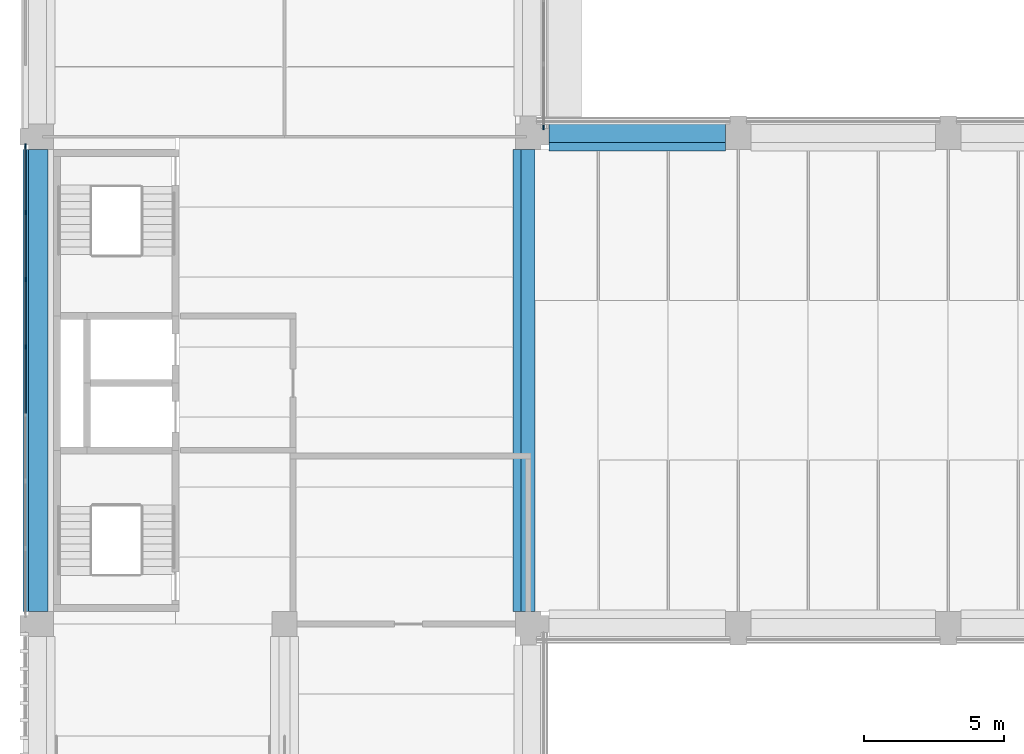
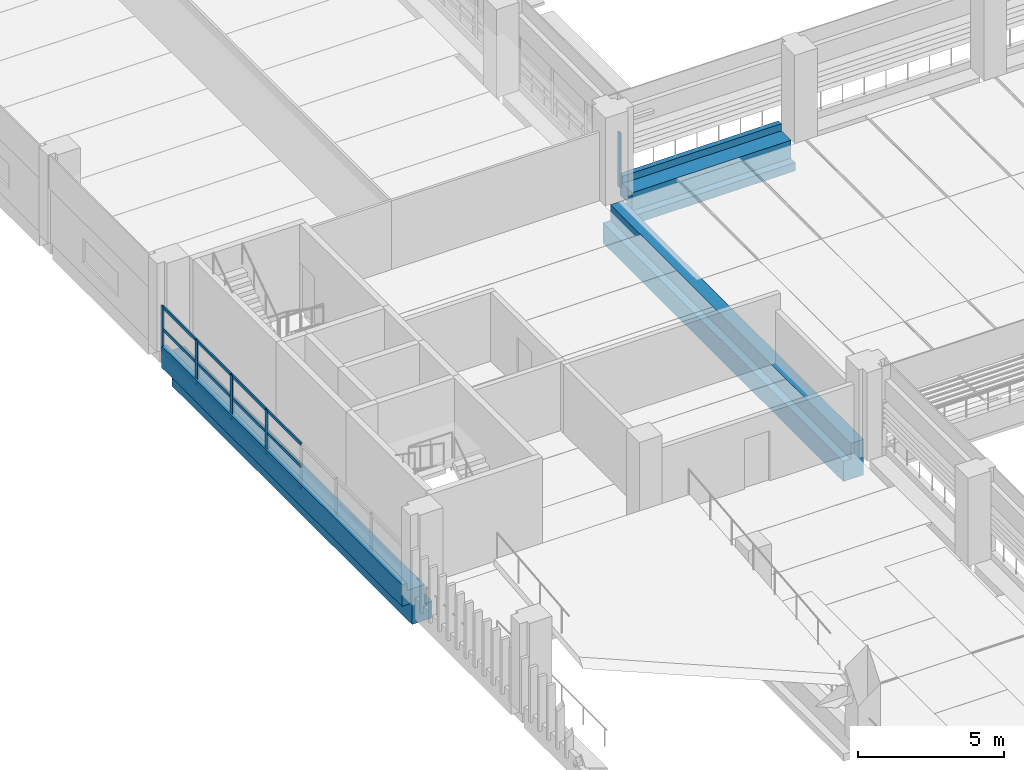
# One storey, part 5 of 57: 17 members, 3 beams, 2 elements without a shape of their own.
"""IFC4 building model written with IfcOpenShell, lengths in metres."""

import ifcopenshell
import ifcopenshell.guid

model = None  # the IFC model being written
_history = None  # IfcOwnerHistory: only IFC2X3 demands one
_inside = {}  # id of a spatial element -> (the spatial element, [elements in it])
_under = {}  # id of a project, library or spatial element -> (it, [spatial elements below it])
_declared = {}  # id of a project -> (the project, [libraries it declares])
_typed = {}  # id of a type object -> (the type object, [elements of that type])
_made_of = {}  # id of a material, layer set ... -> (it, [elements and type objects made of it])


def new_model(schema):
    """Start an empty IFC model of exactly this schema.

    Asked for "IFC4X3", IfcOpenShell would pick the latest addendum, in which some entities
    have other attributes; the version numbers below select the first issue.
    IFC2X3 requires an IfcOwnerHistory on every rooted entity: one is made here for all.
    """
    global model, _history
    if schema == "IFC4X3":
        model = ifcopenshell.file(schema_version=(4, 3, 0, 0))
    else:
        model = ifcopenshell.file(schema=schema)
    _inside.clear()
    _under.clear()
    _declared.clear()
    _typed.clear()
    _made_of.clear()
    _history = None
    if model.schema == "IFC2X3":
        org = make("IfcOrganization", Name="unknown")
        user = make(
            "IfcPersonAndOrganization",
            ThePerson=make("IfcPerson", FamilyName="unknown"),
            TheOrganization=org,
        )
        app = make(
            "IfcApplication",
            ApplicationDeveloper=org,
            Version="unknown",
            ApplicationFullName="unknown",
            ApplicationIdentifier="unknown",
        )
        _history = make(
            "IfcOwnerHistory",
            OwningUser=user,
            OwningApplication=app,
            ChangeAction="ADDED",
            CreationDate=0,
        )
    return model


def make(cls, **values):
    """One entity of the class cls with the attributes given. An attribute that is None is left unset."""
    return model.create_entity(
        cls, **{name: value for name, value in values.items() if value is not None}
    )


def rooted(cls, **values):
    """An entity with a GlobalId (a new one), such as an element, a storey or a relation."""
    return make(cls, GlobalId=ifcopenshell.guid.new(), OwnerHistory=_history, **values)


def si_unit(unit_type, name, prefix=None):
    """IfcSIUnit, for example si_unit("LENGTHUNIT", "METRE", prefix="MILLI")."""
    return make("IfcSIUnit", UnitType=unit_type, Prefix=prefix, Name=name)


def assignment(units):
    """IfcUnitAssignment: the units of a project."""
    return None if units is None else make("IfcUnitAssignment", Units=units)


def point(xyz):
    """IfcCartesianPoint."""
    return None if xyz is None else make("IfcCartesianPoint", Coordinates=xyz)


def direction(xyz):
    """IfcDirection."""
    return None if xyz is None else make("IfcDirection", DirectionRatios=xyz)


def frame(location, z_axis=None, x_axis=None):
    """IfcAxis2Placement3D, a coordinate frame: its origin and axes. An axis left out is left unset."""
    return make(
        "IfcAxis2Placement3D",
        Location=point(location),
        Axis=direction(z_axis),
        RefDirection=direction(x_axis),
    )


def frame_2d(location, x_axis=None):
    """IfcAxis2Placement2D, a coordinate frame in the plane: its origin and x axis."""
    return make(
        "IfcAxis2Placement2D", Location=point(location), RefDirection=direction(x_axis)
    )


def origin():
    """The frame at (0, 0, 0) with its axes left unset."""
    return frame((0.0, 0.0, 0.0))


def origin_2d():
    """The frame at (0, 0) in the plane with its x axis left unset."""
    return frame_2d((0.0, 0.0))


def place(relative_to, where):
    """IfcLocalPlacement: puts the frame where relative to a parent placement (None: the world)."""
    return make(
        "IfcLocalPlacement", PlacementRelTo=relative_to, RelativePlacement=where
    )


def context(
    kind, dimensions, precision=None, world=None, true_north=None, identifier=None
):
    """IfcGeometricRepresentationContext, for example the 3D "Model" context."""
    return make(
        "IfcGeometricRepresentationContext",
        ContextIdentifier=identifier,
        ContextType=kind,
        CoordinateSpaceDimension=dimensions,
        Precision=precision,
        WorldCoordinateSystem=world,
        TrueNorth=true_north,
    )


def subcontext(parent, identifier, kind, view, scale=None):
    """IfcGeometricRepresentationSubContext, for example "Body" below "Model"."""
    return make(
        "IfcGeometricRepresentationSubContext",
        ContextIdentifier=identifier,
        ContextType=kind,
        ParentContext=parent,
        TargetScale=scale,
        TargetView=view,
    )


def project(units=None, contexts=None):
    """IfcProject with its units and contexts."""
    return rooted(
        "IfcProject",
        Name="project",
        RepresentationContexts=contexts,
        UnitsInContext=assignment(units),
    )


def spatial(cls, under=None, at=None, **own):
    """A site, building, storey or space (cls), placed at a placement, below another one or the project."""
    s = rooted(cls, ObjectPlacement=at, **own)
    if under is not None:
        _under.setdefault(under.id(), (under, []))[1].append(s)
    return s


def polyline(points):
    """IfcPolyline through the points."""
    return make("IfcPolyline", Points=[point(p) for p in points])


def profile(cls, at=None, kind="AREA", **sizes):
    """A parametric profile (cls). Its sizes go by their IFC names, for example OverallWidth=200.0."""
    return make(cls, ProfileType=kind, Position=at, **sizes)


def rectangle(**sizes):
    """IfcRectangleProfileDef."""
    return profile("IfcRectangleProfileDef", **sizes)


def outline(outer, holes=None, kind="AREA"):
    """IfcArbitraryClosedProfileDef: a profile drawn as a closed curve; with holes, ...WithVoids."""
    if holes is None:
        return make("IfcArbitraryClosedProfileDef", ProfileType=kind, OuterCurve=outer)
    return make(
        "IfcArbitraryProfileDefWithVoids",
        ProfileType=kind,
        OuterCurve=outer,
        InnerCurves=holes,
    )


def extrude(swept, where, along, depth):
    """IfcExtrudedAreaSolid: the profile swept, set in the frame where, extruded along a direction by depth."""
    return make(
        "IfcExtrudedAreaSolid",
        SweptArea=swept,
        Position=where,
        ExtrudedDirection=direction(along),
        Depth=depth,
    )


def shape(context_of_items, identifier, shape_type, items):
    """IfcShapeRepresentation: the items that make up one representation, for example the "Body"."""
    return make(
        "IfcShapeRepresentation",
        ContextOfItems=context_of_items,
        RepresentationIdentifier=identifier,
        RepresentationType=shape_type,
        Items=items,
    )


def material(Name=None, Category=None):
    """IfcMaterial."""
    return make("IfcMaterial", Name=Name, Category=Category)


def layer(
    of_material, thickness, ventilated=None, Name=None, Category=None, Priority=None
):
    """IfcMaterialLayer: one layer of a wall or slab, of a material (None: an air gap)."""
    return make(
        "IfcMaterialLayer",
        Material=of_material,
        LayerThickness=thickness,
        IsVentilated=ventilated,
        Name=Name,
        Category=Category,
        Priority=Priority,
    )


def layer_set(layers, Name=None):
    """IfcMaterialLayerSet."""
    return make("IfcMaterialLayerSet", MaterialLayers=layers, LayerSetName=Name)


def material_profile(
    of_material, cross_section, Name=None, Category=None, Priority=None
):
    """IfcMaterialProfile: a cross section and its material."""
    return make(
        "IfcMaterialProfile",
        Name=Name,
        Material=of_material,
        Profile=cross_section,
        Priority=Priority,
        Category=Category,
    )


def profile_set(profiles, Name=None, composite=None):
    """IfcMaterialProfileSet."""
    return make(
        "IfcMaterialProfileSet",
        Name=Name,
        MaterialProfiles=profiles,
        CompositeProfile=composite,
    )


def made_of(thing, what):
    """Note that an element or type object is made of a material, layer set ...; save() writes the relation."""
    if what is not None:
        _made_of.setdefault(what.id(), (what, []))[1].append(thing)
    return thing


def type_object(cls, material=None, **own):
    """A type object (cls), such as IfcWallType, which elements share."""
    return made_of(rooted(cls, **own), material)


def element(
    cls,
    number,
    at=None,
    inside=None,
    cuts=None,
    type_object=None,
    material=None,
    context=None,
    identifier="Body",
    shape_type=None,
    held_by="IfcProductDefinitionShape",
    body=None,
    shapes=None,
    **own,
):
    """One element of the class cls, such as IfcWall. Its Tag is "e" and its number.

    at: its placement. inside: the storey or other place that contains it. cuts: it is an
    opening in that element (IfcRelVoidsElement). A single representation is given by context,
    identifier, shape_type and body (its items); several are given by shapes. held_by: the class
    of the entity that holds the representations. save() writes the other relations.
    """
    e = rooted(cls, Tag="e%d" % number, ObjectPlacement=at, **own)
    if body is not None:
        shapes = [shape(context, identifier, shape_type, body)]
    if shapes is not None:
        e.Representation = make(held_by, Representations=shapes)
    if inside is not None:
        _inside.setdefault(inside.id(), (inside, []))[1].append(e)
    if cuts is not None:
        rooted(
            "IfcRelVoidsElement", RelatingBuildingElement=cuts, RelatedOpeningElement=e
        )
    if type_object is not None:
        _typed.setdefault(type_object.id(), (type_object, []))[1].append(e)
    return made_of(e, material)


def aggregate(whole, parts):
    """IfcRelAggregates: a whole, such as a stair, and the parts it consists of."""
    return rooted("IfcRelAggregates", RelatingObject=whole, RelatedObjects=parts)


def save(model, path):
    """Write the relations noted so far, then the file.

    IfcRelAggregates (storeys below a building ...), IfcRelContainedInSpatialStructure (elements
    in a storey), IfcRelDefinesByType, IfcRelAssociatesMaterial and IfcRelDeclares: one each for
    every whole, place, type object, material and project.
    """
    for whole, parts in _under.values():
        aggregate(whole, parts)
    for where, things in _inside.values():
        rooted(
            "IfcRelContainedInSpatialStructure",
            RelatedElements=things,
            RelatingStructure=where,
        )
    for kind, things in _typed.values():
        rooted("IfcRelDefinesByType", RelatedObjects=things, RelatingType=kind)
    for what, things in _made_of.values():
        rooted("IfcRelAssociatesMaterial", RelatedObjects=things, RelatingMaterial=what)
    for by, libraries in _declared.values():
        rooted("IfcRelDeclares", RelatingContext=by, RelatedDefinitions=libraries)
    model.write(path)


model = new_model("IFC4")

# Units and contexts
model_context = context("Model", 3, precision=1e-05, world=origin(), true_north=direction((0.0, 1.0)))
body_context = subcontext(model_context, "Body", "Model", "MODEL_VIEW")
ifc_project = project(units=[si_unit("LENGTHUNIT", "METRE"), si_unit("AREAUNIT", "SQUARE_METRE"), si_unit("VOLUMEUNIT", "CUBIC_METRE"), si_unit("PLANEANGLEUNIT", "RADIAN"), si_unit("MASSUNIT", "GRAM", prefix="KILO")], contexts=[model_context])

# Site, building, storey
site_placement = place(None, origin())
site = spatial("IfcSite", under=ifc_project, at=site_placement, CompositionType="ELEMENT")
building_placement = place(site_placement, origin())
building = spatial("IfcBuilding", under=site, at=building_placement, Name="Cour d'Honneur Mobility Palace", CompositionType="ELEMENT")
storey_placement = place(building_placement, frame((0.0, 0.0, 8.199951171875)))
storey = spatial("IfcBuildingStorey", under=building, at=storey_placement, Name="L02", CompositionType="ELEMENT", Elevation=8.199951171875)

# Curtain wall, member
ifc_material_1 = material(Name="Aluminium and glass", Category="aluminium")
ifc_layer = layer(ifc_material_1, 0.10009765625)
ifc_layer_set = layer_set([ifc_layer], Name="Aluminium and glass")
curtain_wall_type = type_object("IfcCurtainWallType", Name="Curtain wall run", PredefinedType="NOTDEFINED", material=ifc_layer_set)
curtain_wall_1_placement = place(storey_placement, origin())
curtain_wall_1 = element("IfcCurtainWall", 1, at=curtain_wall_1_placement, inside=storey, type_object=curtain_wall_type, Name="Curtain wall CW-23", PredefinedType="NOTDEFINED")
ifc_material_2 = material(Name="Aluminium", Category="aluminium")
ifc_material_profile_1 = material_profile(ifc_material_2, rectangle(XDim=0.06005859375, YDim=0.159912109375, at=origin_2d()), Name="Curtain wall mullion")
ifc_profile_set_1 = profile_set([ifc_material_profile_1], Name="Aluminium")
member_type_1 = type_object("IfcMemberType", Name="Curtain wall mullion", PredefinedType="MULLION", material=ifc_profile_set_1)
member_1_placement = place(storey_placement, frame((17.949951171875, 62.72998046875, 0.0), z_axis=(0.0, 0.0, 1.0), x_axis=(-1.0, 0.0, 0.0)))
member_1 = element("IfcMember", 2, at=member_1_placement, type_object=member_type_1, Name="CW-23 mullion 1", PredefinedType="MULLION", context=body_context, shape_type="SweptSolid", body=[
    extrude(rectangle(XDim=0.06005859375, YDim=0.159912109375, at=origin_2d()), origin(), (0.0, 0.0, 1.0), 2.300048828125),
])
aggregate(curtain_wall_1, [member_1])

# Curtain wall, members
curtain_wall_2_placement = place(storey_placement, origin())
curtain_wall_2 = element("IfcCurtainWall", 3, at=curtain_wall_2_placement, inside=storey, type_object=curtain_wall_type, Name="Curtain wall CW-101", PredefinedType="NOTDEFINED")
member_2_placement = place(storey_placement, frame((-0.550048828125, 62.070068359375, 0.0), z_axis=(0.0, 0.0, 1.0), x_axis=(1.0, 0.0, 0.0)))
member_2 = element("IfcMember", 4, at=member_2_placement, type_object=member_type_1, Name="CW-101 mullion 1", PredefinedType="MULLION", context=body_context, shape_type="SweptSolid", body=[
    extrude(rectangle(XDim=0.06005859375, YDim=0.159912109375, at=origin_2d()), origin(), (0.0, 0.0, 1.0), 1.900146484375),
])
member_3_placement = place(storey_placement, frame((-0.550048828125, 59.699951171875, 0.0), z_axis=(0.0, 0.0, 1.0), x_axis=(1.0, 0.0, 0.0)))
member_3 = element("IfcMember", 5, at=member_3_placement, type_object=member_type_1, Name="CW-101 mullion 2", PredefinedType="MULLION", context=body_context, shape_type="SweptSolid", body=[
    extrude(rectangle(XDim=0.06005859375, YDim=0.159912109375, at=origin_2d()), origin(), (0.0, 0.0, 1.0), 1.900146484375),
])
member_4_placement = place(storey_placement, frame((-0.550048828125, 57.300048828125, 0.0), z_axis=(0.0, 0.0, 1.0), x_axis=(1.0, 0.0, 0.0)))
member_4 = element("IfcMember", 6, at=member_4_placement, type_object=member_type_1, Name="CW-101 mullion 3", PredefinedType="MULLION", context=body_context, shape_type="SweptSolid", body=[
    extrude(rectangle(XDim=0.06005859375, YDim=0.159912109375, at=origin_2d()), origin(), (0.0, 0.0, 1.0), 1.900146484375),
])
member_5_placement = place(storey_placement, frame((-0.550048828125, 54.89990234375, 0.0), z_axis=(0.0, 0.0, 1.0), x_axis=(1.0, 0.0, 0.0)))
member_5 = element("IfcMember", 7, at=member_5_placement, type_object=member_type_1, Name="CW-101 mullion 4", PredefinedType="MULLION", context=body_context, shape_type="SweptSolid", body=[
    extrude(rectangle(XDim=0.06005859375, YDim=0.159912109375, at=origin_2d()), origin(), (0.0, 0.0, 1.0), 1.900146484375),
])
ifc_material_3 = material(Name="Aluminium", Category="aluminium")
ifc_material_profile_2 = material_profile(ifc_material_3, rectangle(XDim=0.06005859375, YDim=0.1201171875, at=origin_2d()), Name="Curtain wall transom")
ifc_profile_set_2 = profile_set([ifc_material_profile_2], Name="Aluminium")
member_type_2 = type_object("IfcMemberType", Name="Curtain wall transom", PredefinedType="USERDEFINED", material=ifc_profile_set_2)
member_6_placement = place(storey_placement, frame((-0.550048828125, 62.0400390625, 0.030029296875), z_axis=(0.0, -1.0, 0.0), x_axis=(1.0, 0.0, 0.0)))
member_6 = element("IfcMember", 8, at=member_6_placement, type_object=member_type_2, Name="CW-101 transom 1.1", ObjectType="TRANSOM", PredefinedType="USERDEFINED", context=body_context, shape_type="SweptSolid", body=[
    extrude(rectangle(XDim=0.06005859375, YDim=0.1201171875, at=origin_2d()), origin(), (0.0, 0.0, 1.0), 2.31005859375),
])
member_7_placement = place(storey_placement, frame((-0.550048828125, 62.0400390625, 0.949951171875), z_axis=(0.0, -1.0, 0.0), x_axis=(1.0, 0.0, 0.0)))
member_7 = element("IfcMember", 9, at=member_7_placement, type_object=member_type_2, Name="CW-101 transom 1.2", ObjectType="TRANSOM", PredefinedType="USERDEFINED", context=body_context, shape_type="SweptSolid", body=[
    extrude(rectangle(XDim=0.06005859375, YDim=0.1201171875, at=origin_2d()), origin(), (0.0, 0.0, 1.0), 2.31005859375),
])
member_8_placement = place(storey_placement, frame((-0.550048828125, 62.0400390625, 1.8701171875), z_axis=(0.0, -1.0, 0.0), x_axis=(1.0, 0.0, 0.0)))
member_8 = element("IfcMember", 10, at=member_8_placement, type_object=member_type_2, Name="CW-101 transom 1.3", ObjectType="TRANSOM", PredefinedType="USERDEFINED", context=body_context, shape_type="SweptSolid", body=[
    extrude(rectangle(XDim=0.06005859375, YDim=0.1201171875, at=origin_2d()), origin(), (0.0, 0.0, 1.0), 2.31005859375),
])
member_9_placement = place(storey_placement, frame((-0.550048828125, 59.669921875, 0.030029296875), z_axis=(0.0, -1.0, 0.0), x_axis=(1.0, 0.0, 0.0)))
member_9 = element("IfcMember", 11, at=member_9_placement, type_object=member_type_2, Name="CW-101 transom 2.1", ObjectType="TRANSOM", PredefinedType="USERDEFINED", context=body_context, shape_type="SweptSolid", body=[
    extrude(rectangle(XDim=0.06005859375, YDim=0.1201171875, at=origin_2d()), origin(), (0.0, 0.0, 1.0), 2.33984375),
])
member_10_placement = place(storey_placement, frame((-0.550048828125, 59.669921875, 0.949951171875), z_axis=(0.0, -1.0, 0.0), x_axis=(1.0, 0.0, 0.0)))
member_10 = element("IfcMember", 12, at=member_10_placement, type_object=member_type_2, Name="CW-101 transom 2.2", ObjectType="TRANSOM", PredefinedType="USERDEFINED", context=body_context, shape_type="SweptSolid", body=[
    extrude(rectangle(XDim=0.06005859375, YDim=0.1201171875, at=origin_2d()), origin(), (0.0, 0.0, 1.0), 2.33984375),
])
member_11_placement = place(storey_placement, frame((-0.550048828125, 59.669921875, 1.8701171875), z_axis=(0.0, -1.0, 0.0), x_axis=(1.0, 0.0, 0.0)))
member_11 = element("IfcMember", 13, at=member_11_placement, type_object=member_type_2, Name="CW-101 transom 2.3", ObjectType="TRANSOM", PredefinedType="USERDEFINED", context=body_context, shape_type="SweptSolid", body=[
    extrude(rectangle(XDim=0.06005859375, YDim=0.1201171875, at=origin_2d()), origin(), (0.0, 0.0, 1.0), 2.33984375),
])
member_12_placement = place(storey_placement, frame((-0.550048828125, 57.27001953125, 0.030029296875), z_axis=(0.0, -1.0, 0.0), x_axis=(1.0, 0.0, 0.0)))
member_12 = element("IfcMember", 14, at=member_12_placement, type_object=member_type_2, Name="CW-101 transom 3.1", ObjectType="TRANSOM", PredefinedType="USERDEFINED", context=body_context, shape_type="SweptSolid", body=[
    extrude(rectangle(XDim=0.06005859375, YDim=0.1201171875, at=origin_2d()), origin(), (0.0, 0.0, 1.0), 2.340087890625),
])
member_13_placement = place(storey_placement, frame((-0.550048828125, 57.27001953125, 0.949951171875), z_axis=(0.0, -1.0, 0.0), x_axis=(1.0, 0.0, 0.0)))
member_13 = element("IfcMember", 15, at=member_13_placement, type_object=member_type_2, Name="CW-101 transom 3.2", ObjectType="TRANSOM", PredefinedType="USERDEFINED", context=body_context, shape_type="SweptSolid", body=[
    extrude(rectangle(XDim=0.06005859375, YDim=0.1201171875, at=origin_2d()), origin(), (0.0, 0.0, 1.0), 2.340087890625),
])
member_14_placement = place(storey_placement, frame((-0.550048828125, 57.27001953125, 1.8701171875), z_axis=(0.0, -1.0, 0.0), x_axis=(1.0, 0.0, 0.0)))
member_14 = element("IfcMember", 16, at=member_14_placement, type_object=member_type_2, Name="CW-101 transom 3.3", ObjectType="TRANSOM", PredefinedType="USERDEFINED", context=body_context, shape_type="SweptSolid", body=[
    extrude(rectangle(XDim=0.06005859375, YDim=0.1201171875, at=origin_2d()), origin(), (0.0, 0.0, 1.0), 2.340087890625),
])
member_15_placement = place(storey_placement, frame((-0.550048828125, 54.8701171875, 0.030029296875), z_axis=(0.0, -1.0, 0.0), x_axis=(1.0, 0.0, 0.0)))
member_15 = element("IfcMember", 17, at=member_15_placement, type_object=member_type_2, Name="CW-101 transom 4.1", ObjectType="TRANSOM", PredefinedType="USERDEFINED", context=body_context, shape_type="SweptSolid", body=[
    extrude(rectangle(XDim=0.06005859375, YDim=0.1201171875, at=origin_2d()), origin(), (0.0, 0.0, 1.0), 2.340087890625),
])
member_16_placement = place(storey_placement, frame((-0.550048828125, 54.8701171875, 0.949951171875), z_axis=(0.0, -1.0, 0.0), x_axis=(1.0, 0.0, 0.0)))
member_16 = element("IfcMember", 18, at=member_16_placement, type_object=member_type_2, Name="CW-101 transom 4.2", ObjectType="TRANSOM", PredefinedType="USERDEFINED", context=body_context, shape_type="SweptSolid", body=[
    extrude(rectangle(XDim=0.06005859375, YDim=0.1201171875, at=origin_2d()), origin(), (0.0, 0.0, 1.0), 2.340087890625),
])
member_17_placement = place(storey_placement, frame((-0.550048828125, 54.8701171875, 1.8701171875), z_axis=(0.0, -1.0, 0.0), x_axis=(1.0, 0.0, 0.0)))
member_17 = element("IfcMember", 19, at=member_17_placement, type_object=member_type_2, Name="CW-101 transom 4.3", ObjectType="TRANSOM", PredefinedType="USERDEFINED", context=body_context, shape_type="SweptSolid", body=[
    extrude(rectangle(XDim=0.06005859375, YDim=0.1201171875, at=origin_2d()), origin(), (0.0, 0.0, 1.0), 2.340087890625),
])
aggregate(curtain_wall_2, [member_2, member_3, member_4, member_5, member_6, member_7, member_8, member_9, member_10, member_11, member_12, member_13, member_14, member_15, member_16, member_17])

# Beams
ifc_material_4 = material(Name="Concrete C45", Category="concrete")
ifc_material_profile_3 = material_profile(ifc_material_4, outline(polyline([(0.199951171875, -1.10009765625), (0.199951171875, -0.60009765625), (0.64990234375, -0.60009765625), (0.64990234375, 0.300048828125), (0.449951171875, 0.300048828125), (0.449951171875, 0.0), (0.199951171875, 0.0), (-0.199951171875, 0.0), (-0.199951171875, -0.75), (-0.5, -0.75), (-0.5, -1.10009765625), (0.199951171875, -1.10009765625)])), Name="Ledger Beam 400x1100 ledge right 350 facade left")
ifc_profile_set_3 = profile_set([ifc_material_profile_3], Name="Concrete C45")
beam_type_1 = type_object("IfcBeamType", Name="Ledger Beam 400x1100 ledge right 350 facade left", PredefinedType="BEAM", material=ifc_profile_set_3)
beam_1_placement = place(storey_placement, frame((18.14990234375, 62.39990234375, 0.0), z_axis=(1.0, 0.0, 0.0), x_axis=(0.0, 1.0, 0.0)))
element("IfcBeam", 20, at=beam_1_placement, inside=storey, type_object=beam_type_1, Name="Precast beam B4 2-3 L02", PredefinedType="BEAM", context=body_context, shape_type="SweptSolid", body=[
    extrude(outline(polyline([(0.199951171875, -1.10009765625), (0.199951171875, -0.60009765625), (0.64990234375, -0.60009765625), (0.64990234375, 0.300048828125), (0.449951171875, 0.300048828125), (0.449951171875, 0.0), (0.199951171875, 0.0), (-0.199951171875, 0.0), (-0.199951171875, -0.75), (-0.5, -0.75), (-0.5, -1.10009765625), (0.199951171875, -1.10009765625)])), origin(), (0.0, 0.0, 1.0), 6.300048828125),
])
ifc_material_5 = material(Name="Concrete C45", Category="concrete")
ifc_material_profile_4 = material_profile(ifc_material_5, outline(polyline([(0.550048828125, -1.5), (0.550048828125, -0.64990234375), (0.25, -0.64990234375), (0.25, 0.0), (-0.25, 0.0), (-0.25, -1.5), (0.550048828125, -1.5)])), Name="Ledger Beam 500x1500 ledge left 850 plain")
ifc_profile_set_4 = profile_set([ifc_material_profile_4], Name="Concrete C45")
beam_type_2 = type_object("IfcBeamType", Name="Ledger Beam 500x1500 ledge left 850 plain", PredefinedType="BEAM", material=ifc_profile_set_4)
beam_2_placement = place(storey_placement, frame((17.39990234375, 45.449951171875, 0.0), z_axis=(0.0, 1.0, 0.0), x_axis=(-1.0, 0.0, 0.0)))
element("IfcBeam", 21, at=beam_2_placement, inside=storey, type_object=beam_type_2, Name="Precast beam B13 G-H L02", PredefinedType="BEAM", context=body_context, shape_type="SweptSolid", body=[
    extrude(outline(polyline([(0.550048828125, -1.5), (0.550048828125, -0.64990234375), (0.25, -0.64990234375), (0.25, 0.0), (-0.25, 0.0), (-0.25, -1.5), (0.550048828125, -1.5)])), origin(), (0.0, 0.0, 1.0), 16.5),
])
ifc_material_6 = material(Name="Concrete C45", Category="concrete")
ifc_material_profile_5 = material_profile(ifc_material_6, outline(polyline([(0.25, -1.5), (0.25, -0.60009765625), (0.64990234375, -0.60009765625), (0.64990234375, 0.300048828125), (0.449951171875, 0.300048828125), (0.449951171875, 0.0), (0.25, 0.0), (-0.25, 0.0), (-0.25, -0.800048828125), (-0.550048828125, -0.800048828125), (-0.550048828125, -1.5), (0.25, -1.5)])), Name="Ledger Beam 500x1500 ledge right 700 facade left")
ifc_profile_set_5 = profile_set([ifc_material_profile_5], Name="Concrete C45")
beam_type_3 = type_object("IfcBeamType", Name="Ledger Beam 500x1500 ledge right 700 facade left", PredefinedType="BEAM", material=ifc_profile_set_5)
beam_3_placement = place(storey_placement, frame((0.0, 45.449951171875, 0.0), z_axis=(0.0, 1.0, 0.0), x_axis=(-1.0, 0.0, 0.0)))
element("IfcBeam", 22, at=beam_3_placement, inside=storey, type_object=beam_type_3, Name="Precast beam B8 G-H L02", PredefinedType="BEAM", context=body_context, shape_type="SweptSolid", body=[
    extrude(outline(polyline([(0.25, -1.5), (0.25, -0.60009765625), (0.64990234375, -0.60009765625), (0.64990234375, 0.300048828125), (0.449951171875, 0.300048828125), (0.449951171875, 0.0), (0.25, 0.0), (-0.25, 0.0), (-0.25, -0.800048828125), (-0.550048828125, -0.800048828125), (-0.550048828125, -1.5), (0.25, -1.5)])), origin(), (0.0, 0.0, 1.0), 16.5),
])

save(model, "model.ifc")
